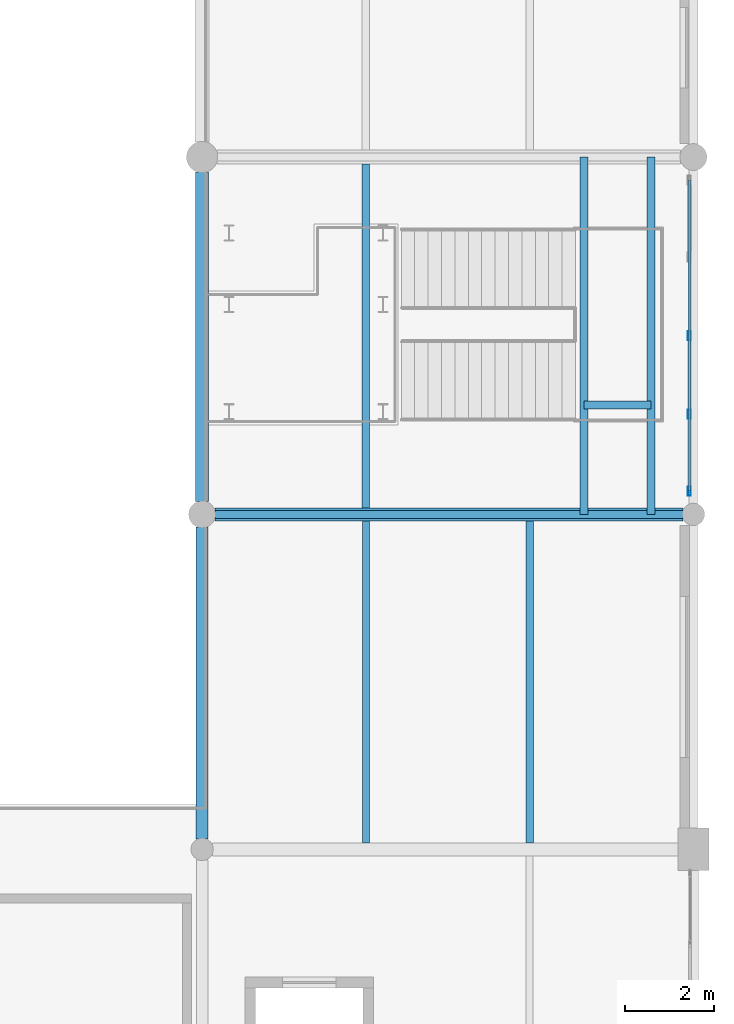
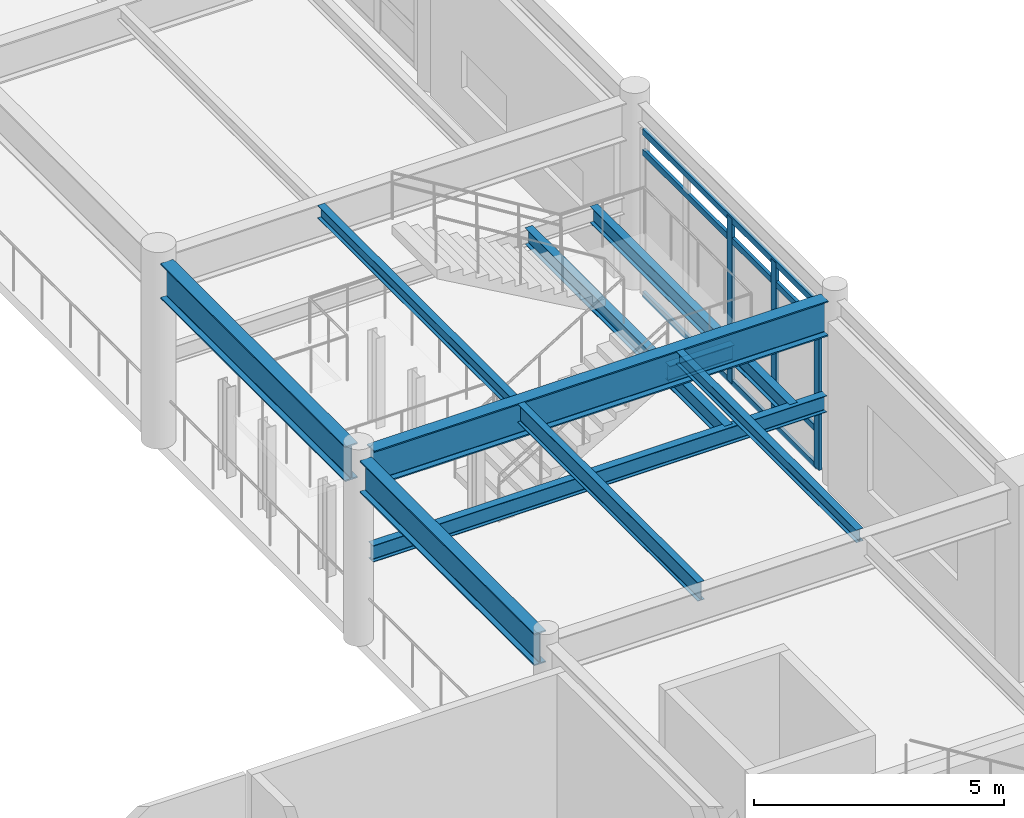
# One storey, part 119 of 200: 10 beams, 7 members, 1 element without a shape of its own.
"""IFC4 building model written with IfcOpenShell, lengths in metres."""

from ifc_helpers import new_model, si_unit, direction, frame, origin, origin_2d, place, context, subcontext, project, spatial, hollow_rectangle, i_section, extrude, material, material_profile, profile_set, type_object, element, aggregate, save


model = new_model("IFC4")

# Units and contexts
model_context = context("Model", 3, precision=1e-05, world=origin(), true_north=direction((0.0, 1.0)))
body_context = subcontext(model_context, "Body", "Model", "MODEL_VIEW")
ifc_project = project(units=[si_unit("LENGTHUNIT", "METRE"), si_unit("AREAUNIT", "SQUARE_METRE"), si_unit("VOLUMEUNIT", "CUBIC_METRE"), si_unit("PLANEANGLEUNIT", "RADIAN"), si_unit("MASSUNIT", "GRAM", prefix="KILO"), si_unit("THERMODYNAMICTEMPERATUREUNIT", "KELVIN"), si_unit("POWERUNIT", "WATT")], contexts=[model_context])

# Site, building, storey
site_placement = place(None, origin())
site = spatial("IfcSite", under=ifc_project, at=site_placement, CompositionType="ELEMENT")
building_placement = place(site_placement, origin())
building = spatial("IfcBuilding", under=site, at=building_placement, Name="Tepalcoro Natatorium and Aquatics Centre", CompositionType="ELEMENT")
storey_placement = place(building_placement, frame((0.0, 0.0, 5.39990234375)))
storey = spatial("IfcBuildingStorey", under=building, at=storey_placement, Name="L01", CompositionType="ELEMENT", Elevation=5.39990234375)

# Beams
ifc_material_1 = material(Name="Steel ASTM A992 Grade 50 (Fy 345 MPa)", Category="steel")
ifc_material_profile_1 = material_profile(ifc_material_1, i_section(OverallWidth=0.177978515625, OverallDepth=0.406005859375, WebThickness=0.008056640625, FlangeThickness=0.012939453125, FilletRadius=0.013916015625, at=origin_2d()), Name="W16X40")
ifc_profile_set_1 = profile_set([ifc_material_profile_1], Name="Steel ASTM A992 Grade 50 (Fy 345 MPa)")
beam_type_1 = type_object("IfcBeamType", Name="BM_W16x40", PredefinedType="BEAM", material=ifc_profile_set_1)
beam_1_placement = place(storey_placement, frame((165.284912109375, 28.0, 1.9970703125), z_axis=(1.0, 0.0, 0.0), x_axis=(0.0, 1.0, 0.0)))
element("IfcBeam", 1, at=beam_1_placement, inside=storey, type_object=beam_type_1, Name="Diving Access Stair Mid-Height Header S", PredefinedType="BEAM", context=body_context, shape_type="SweptSolid", body=[
    extrude(i_section(OverallWidth=0.177978515625, OverallDepth=0.406005859375, WebThickness=0.008056640625, FlangeThickness=0.012939453125, FilletRadius=0.013916015625, at=origin_2d()), origin(), (0.0, 0.0, 1.0), 10.47998046875),
])
for number, where, z_axis, x_axis, name in (
    (2, (173.550048828125, 28.001953125, 1.9970703125), (0.0, 1.0, 0.0), (-1.0, 0.0, 0.0), "Diving Access Stair Landing Trimmer W"),
    (3, (175.050048828125, 28.001953125, 1.9970703125), (0.0, 1.0, 0.0), (-1.0, 0.0, 0.0), "Diving Access Stair Landing Trimmer E"),
):
    element("IfcBeam", number, at=place(storey_placement, frame(where, z_axis=z_axis, x_axis=x_axis)), inside=storey, type_object=beam_type_1, Name=name, PredefinedType="BEAM", context=body_context, shape_type="SweptSolid", body=[
        extrude(i_section(OverallWidth=0.177978515625, OverallDepth=0.406005859375, WebThickness=0.008056640625, FlangeThickness=0.012939453125, FilletRadius=0.013916015625, at=origin_2d()), origin(), (0.0, 0.0, 1.0), 7.99609375),
    ])
beam_2_placement = place(storey_placement, frame((173.552001953125, 30.449951171875, 1.9970703125), z_axis=(1.0, 0.0, 0.0), x_axis=(0.0, 1.0, 0.0)))
element("IfcBeam", 4, at=beam_2_placement, inside=storey, type_object=beam_type_1, Name="Diving Access Stair Landing Cross-Beam M", PredefinedType="BEAM", context=body_context, shape_type="SweptSolid", body=[
    extrude(i_section(OverallWidth=0.177978515625, OverallDepth=0.406005859375, WebThickness=0.008056640625, FlangeThickness=0.012939453125, FilletRadius=0.013916015625, at=origin_2d()), origin(), (0.0, 0.0, 1.0), 1.49609375),
])
ifc_material_profile_2 = material_profile(ifc_material_1, i_section(OverallWidth=0.26708984375, OverallDepth=0.780029296875, WebThickness=0.01708984375, FlangeThickness=0.030029296875, FilletRadius=0.013916015625, at=origin_2d()), Name="W30X148")
ifc_profile_set_2 = profile_set([ifc_material_profile_2], Name="Steel ASTM A992 Grade 50 (Fy 345 MPa)")
beam_type_2 = type_object("IfcBeamType", Name="BM_W30x148", PredefinedType="BEAM", material=ifc_profile_set_2)
beam_3_placement = place(storey_placement, frame((165.0, 20.735107421875, 4.155029296875), z_axis=(0.0, 1.0, 0.0), x_axis=(-1.0, 0.0, 0.0)))
element("IfcBeam", 5, at=beam_3_placement, inside=storey, type_object=beam_type_2, Name="V2 L01 Grid Girder Y", PredefinedType="BEAM", context=body_context, shape_type="SweptSolid", body=[
    extrude(i_section(OverallWidth=0.26708984375, OverallDepth=0.780029296875, WebThickness=0.01708984375, FlangeThickness=0.030029296875, FilletRadius=0.013916015625, at=origin_2d()), origin(), (0.0, 0.0, 1.0), 6.97998046875),
])
ifc_material_profile_3 = material_profile(ifc_material_1, i_section(OverallWidth=0.2919921875, OverallDepth=0.85888671875, WebThickness=0.01708984375, FlangeThickness=0.031005859375, FilletRadius=0.013916015625, at=origin_2d()), Name="W33X169")
ifc_profile_set_3 = profile_set([ifc_material_profile_3], Name="Steel ASTM A992 Grade 50 (Fy 345 MPa)")
beam_type_3 = type_object("IfcBeamType", Name="BM_W33x169", PredefinedType="BEAM", material=ifc_profile_set_3)
beam_4_placement = place(storey_placement, frame((165.284912109375, 28.0, 4.115478515625), z_axis=(1.0, 0.0, 0.0), x_axis=(0.0, 1.0, 0.0)))
element("IfcBeam", 6, at=beam_4_placement, inside=storey, type_object=beam_type_3, Name="V2 L01 Grid Girder X", PredefinedType="BEAM", context=body_context, shape_type="SweptSolid", body=[
    extrude(i_section(OverallWidth=0.2919921875, OverallDepth=0.85888671875, WebThickness=0.01708984375, FlangeThickness=0.031005859375, FilletRadius=0.013916015625, at=origin_2d()), origin(), (0.0, 0.0, 1.0), 10.47998046875),
])
beam_5_placement = place(storey_placement, frame((165.0, 28.284912109375, 4.115478515625), z_axis=(0.0, 1.0, 0.0), x_axis=(-1.0, 0.0, 0.0)))
element("IfcBeam", 7, at=beam_5_placement, inside=storey, type_object=beam_type_3, Name="V2 L01 Grid Girder Y", PredefinedType="BEAM", context=body_context, shape_type="SweptSolid", body=[
    extrude(i_section(OverallWidth=0.2919921875, OverallDepth=0.85888671875, WebThickness=0.01708984375, FlangeThickness=0.031005859375, FilletRadius=0.013916015625, at=origin_2d()), origin(), (0.0, 0.0, 1.0), 7.380126953125),
])

# Curtain wall, members
ifc_material_2 = material(Name="Bronze-Anodised Extruded Aluminium Alloy EN AW-6063 T6", Category="aluminium")
curtain_wall_type = type_object("IfcCurtainWallType", Name="CW_V1_PLINTH", PredefinedType="USERDEFINED", material=ifc_material_2)
curtain_wall_placement = place(storey_placement, origin())
curtain_wall = element("IfcCurtainWall", 8, at=curtain_wall_placement, inside=storey, type_object=curtain_wall_type, Name="V2 L01 E Unitised Curtain Wall Bay 4", ObjectType="UNITISED STOREFRONT", PredefinedType="USERDEFINED")
ifc_material_profile_4 = material_profile(ifc_material_2, hollow_rectangle(XDim=0.070068359375, YDim=0.199951171875, WallThickness=0.0048828125, at=origin_2d()), Name="AL70X200X5")
ifc_profile_set_4 = profile_set([ifc_material_profile_4], Name="Bronze-Anodised Extruded Aluminium Alloy EN AW-6063 T6")
member_type_1 = type_object("IfcMemberType", Name="CW_MUL_70x200", PredefinedType="MULLION", material=ifc_profile_set_4)
member_1_placement = place(storey_placement, frame((175.909912109375, 28.52001953125, 0.02001953125), z_axis=(0.0, 0.0, 1.0), x_axis=(1.0, 0.0, 0.0)))
member_1 = element("IfcMember", 9, at=member_1_placement, type_object=member_type_1, Name="CW_V1_PLINTH Curtain Wall Mullion", PredefinedType="MULLION", context=body_context, shape_type="SweptSolid", body=[
    extrude(hollow_rectangle(XDim=0.070068359375, YDim=0.199951171875, WallThickness=0.0048828125, at=origin_2d()), origin(), (0.0, 0.0, 1.0), 4.030029296875),
])
member_2_placement = place(storey_placement, frame((175.909912109375, 30.239990234375, 0.02001953125), z_axis=(0.0, 0.0, 1.0), x_axis=(1.0, 0.0, 0.0)))
member_2 = element("IfcMember", 10, at=member_2_placement, type_object=member_type_1, Name="CW_V1_PLINTH Curtain Wall Mullion", PredefinedType="MULLION", context=body_context, shape_type="SweptSolid", body=[
    extrude(hollow_rectangle(XDim=0.070068359375, YDim=0.199951171875, WallThickness=0.0048828125, at=origin_2d()), origin(), (0.0, 0.0, 1.0), 4.030029296875),
])
member_3_placement = place(storey_placement, frame((175.909912109375, 32.0, 0.02001953125), z_axis=(0.0, 0.0, 1.0), x_axis=(1.0, 0.0, 0.0)))
member_3 = element("IfcMember", 11, at=member_3_placement, type_object=member_type_1, Name="CW_V1_PLINTH Curtain Wall Mullion", PredefinedType="MULLION", context=body_context, shape_type="SweptSolid", body=[
    extrude(hollow_rectangle(XDim=0.070068359375, YDim=0.199951171875, WallThickness=0.0048828125, at=origin_2d()), origin(), (0.0, 0.0, 1.0), 4.030029296875),
])
ifc_material_profile_5 = material_profile(ifc_material_2, hollow_rectangle(XDim=0.070068359375, YDim=0.14990234375, WallThickness=0.00390625, at=origin_2d()), Name="AL70X150X4")
ifc_profile_set_5 = profile_set([ifc_material_profile_5], Name="Bronze-Anodised Extruded Aluminium Alloy EN AW-6063 T6")
member_type_2 = type_object("IfcMemberType", Name="CW_TRN_70x150", PredefinedType="USERDEFINED", material=ifc_profile_set_5)
member_4_placement = place(storey_placement, frame((175.909912109375, 28.530029296875, 0.050048828125), z_axis=(0.0, 1.0, 0.0), x_axis=(-1.0, 0.0, 0.0)))
member_4 = element("IfcMember", 12, at=member_4_placement, type_object=member_type_2, Name="CW_V1_PLINTH Curtain Wall Transom", ObjectType="TRANSOM", PredefinedType="USERDEFINED", context=body_context, shape_type="SweptSolid", body=[
    extrude(hollow_rectangle(XDim=0.070068359375, YDim=0.14990234375, WallThickness=0.00390625, at=origin_2d()), origin(), (0.0, 0.0, 1.0), 6.93994140625),
])
member_5_placement = place(storey_placement, frame((175.909912109375, 28.530029296875, 0.9501953125), z_axis=(0.0, 1.0, 0.0), x_axis=(-1.0, 0.0, 0.0)))
member_5 = element("IfcMember", 13, at=member_5_placement, type_object=member_type_2, Name="CW_V1_PLINTH Curtain Wall Transom", ObjectType="TRANSOM", PredefinedType="USERDEFINED", context=body_context, shape_type="SweptSolid", body=[
    extrude(hollow_rectangle(XDim=0.070068359375, YDim=0.14990234375, WallThickness=0.00390625, at=origin_2d()), origin(), (0.0, 0.0, 1.0), 6.93994140625),
])
member_6_placement = place(storey_placement, frame((175.909912109375, 28.530029296875, 3.52001953125), z_axis=(0.0, 1.0, 0.0), x_axis=(-1.0, 0.0, 0.0)))
member_6 = element("IfcMember", 14, at=member_6_placement, type_object=member_type_2, Name="CW_V1_PLINTH Curtain Wall Transom", ObjectType="TRANSOM", PredefinedType="USERDEFINED", context=body_context, shape_type="SweptSolid", body=[
    extrude(hollow_rectangle(XDim=0.070068359375, YDim=0.14990234375, WallThickness=0.00390625, at=origin_2d()), origin(), (0.0, 0.0, 1.0), 6.93994140625),
])
member_7_placement = place(storey_placement, frame((175.909912109375, 28.530029296875, 4.02001953125), z_axis=(0.0, 1.0, 0.0), x_axis=(-1.0, 0.0, 0.0)))
member_7 = element("IfcMember", 15, at=member_7_placement, type_object=member_type_2, Name="CW_V1_PLINTH Curtain Wall Transom", ObjectType="TRANSOM", PredefinedType="USERDEFINED", context=body_context, shape_type="SweptSolid", body=[
    extrude(hollow_rectangle(XDim=0.070068359375, YDim=0.14990234375, WallThickness=0.00390625, at=origin_2d()), origin(), (0.0, 0.0, 1.0), 6.93994140625),
])
aggregate(curtain_wall, [member_1, member_2, member_3, member_4, member_5, member_6, member_7])

# Beams
ifc_material_profile_6 = material_profile(ifc_material_1, i_section(OverallWidth=0.1650390625, OverallDepth=0.31005859375, WebThickness=0.006103515625, FlangeThickness=0.010009765625, FilletRadius=0.013916015625, at=origin_2d()), Name="W12X26")
ifc_profile_set_6 = profile_set([ifc_material_profile_6], Name="Steel ASTM A992 Grade 50 (Fy 345 MPa)")
beam_type_4 = type_object("IfcBeamType", Name="JS_W12x26", PredefinedType="JOIST", material=ifc_profile_set_6)
beam_6_placement = place(storey_placement, frame((172.333251953125, 20.64599609375, 4.39013671875), z_axis=(0.0, 1.0, 0.0), x_axis=(-1.0, 0.0, 0.0)))
element("IfcBeam", 16, at=beam_6_placement, inside=storey, type_object=beam_type_4, Name="V2 L01 Floor Joist", PredefinedType="JOIST", context=body_context, shape_type="SweptSolid", body=[
    extrude(i_section(OverallWidth=0.1650390625, OverallDepth=0.31005859375, WebThickness=0.006103515625, FlangeThickness=0.010009765625, FilletRadius=0.013916015625, at=origin_2d()), origin(), (0.0, 0.0, 1.0), 7.2080078125),
])
beam_7_placement = place(storey_placement, frame((168.666748046875, 28.14599609375, 4.39013671875), z_axis=(0.0, 1.0, 0.0), x_axis=(-1.0, 0.0, 0.0)))
element("IfcBeam", 17, at=beam_7_placement, inside=storey, type_object=beam_type_4, Name="V2 L01 Floor Joist", PredefinedType="JOIST", context=body_context, shape_type="SweptSolid", body=[
    extrude(i_section(OverallWidth=0.1650390625, OverallDepth=0.31005859375, WebThickness=0.006103515625, FlangeThickness=0.010009765625, FilletRadius=0.013916015625, at=origin_2d()), origin(), (0.0, 0.0, 1.0), 7.701416015625),
])
ifc_material_profile_7 = material_profile(ifc_material_1, i_section(OverallWidth=0.153076171875, OverallDepth=0.455078125, WebThickness=0.008056640625, FlangeThickness=0.012939453125, FilletRadius=0.013916015625, at=origin_2d()), Name="W18X40")
ifc_profile_set_7 = profile_set([ifc_material_profile_7], Name="Steel ASTM A992 Grade 50 (Fy 345 MPa)")
beam_type_5 = type_object("IfcBeamType", Name="JS_W18x40", PredefinedType="JOIST", material=ifc_profile_set_7)
beam_8_placement = place(storey_placement, frame((168.666748046875, 20.64599609375, 4.317626953125), z_axis=(0.0, 1.0, 0.0), x_axis=(-1.0, 0.0, 0.0)))
element("IfcBeam", 18, at=beam_8_placement, inside=storey, type_object=beam_type_5, Name="V2 L01 Floor Joist", PredefinedType="JOIST", context=body_context, shape_type="SweptSolid", body=[
    extrude(i_section(OverallWidth=0.153076171875, OverallDepth=0.455078125, WebThickness=0.008056640625, FlangeThickness=0.012939453125, FilletRadius=0.013916015625, at=origin_2d()), origin(), (0.0, 0.0, 1.0), 7.2080078125),
])

save(model, "model.ifc")
